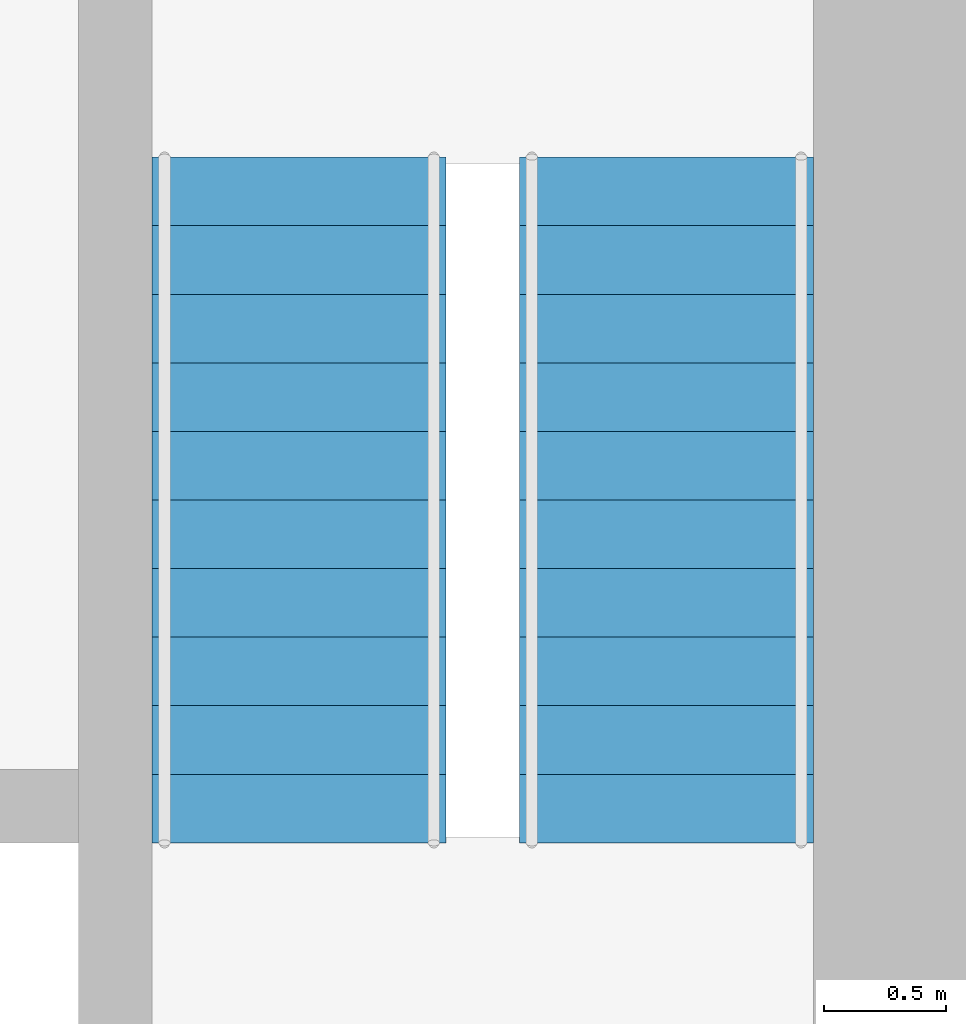
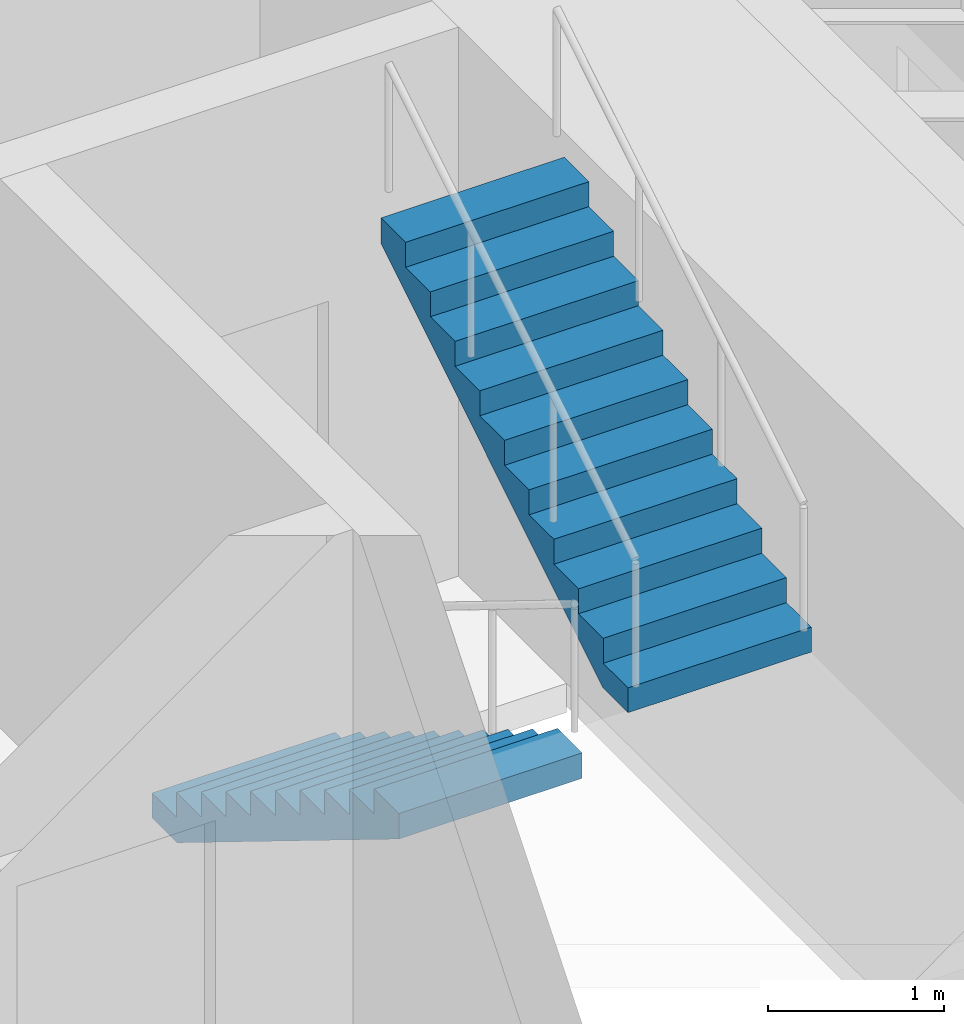
# One storey, part 16 of 17: 2 stair flights, 1 element without a shape of its own.
"""IFC4 building model written with IfcOpenShell, lengths in metres."""

from ifc_helpers import new_model, si_unit, direction, frame, origin, place, context, subcontext, project, spatial, polyline, outline, extrude, material, type_object, element, aggregate, save


model = new_model("IFC4")

# Units and contexts
model_context = context("Model", 3, precision=1e-05, world=origin(), true_north=direction((0.0, 1.0)))
body_context = subcontext(model_context, "Body", "Model", "MODEL_VIEW")
ifc_project = project(units=[si_unit("LENGTHUNIT", "METRE"), si_unit("AREAUNIT", "SQUARE_METRE"), si_unit("VOLUMEUNIT", "CUBIC_METRE"), si_unit("PLANEANGLEUNIT", "RADIAN"), si_unit("MASSUNIT", "GRAM", prefix="KILO")], contexts=[model_context])

# Site, building, storey
site_placement = place(None, origin())
site = spatial("IfcSite", under=ifc_project, at=site_placement, CompositionType="ELEMENT")
building_placement = place(site_placement, origin())
building = spatial("IfcBuilding", under=site, at=building_placement, Name="Sandreach Pilgrim Tower", CompositionType="ELEMENT")
storey_placement = place(building_placement, frame((0.0, 0.0, 80.0)))
storey = spatial("IfcBuildingStorey", under=building, at=storey_placement, Name="L19", CompositionType="ELEMENT", Elevation=80.0)

# Stair, stair flights
ifc_material_1 = material(Name="Concrete 8000 psi", Category="concrete")
stair_type = type_object("IfcStairType", Name="Core exit stair", PredefinedType="HALF_TURN_STAIR", material=ifc_material_1)
stair_placement = place(storey_placement, origin())
stair = element("IfcStair", 1, at=stair_placement, inside=storey, type_object=stair_type, Name="Exit stair ST2 L19", PredefinedType="HALF_TURN_STAIR")
ifc_material_2 = material(Name="Concrete 8000 psi", Category="concrete")
stair_flight_type = type_object("IfcStairFlightType", Name="Core stair flight 1200", PredefinedType="STRAIGHT", material=ifc_material_2)
stair_flight_1_placement = place(storey_placement, frame((5.64990234375, -0.39990234375, 0.0), z_axis=(0.0, 0.0, 1.0), x_axis=(0.0, -1.0, 0.0)))
stair_flight_1 = element("IfcStairFlight", 2, at=stair_flight_1_placement, type_object=stair_flight_type, Name="ST2 flight 1", NumberOfRisers=11, NumberOfTreads=10, PredefinedType="STRAIGHT", RiserHeight=0.172727273, TreadLength=0.28, context=body_context, shape_type="SweptSolid", body=[
    extrude(outline(polyline([(0.0, 0.0), (0.0, 0.172607421875), (0.280029296875, 0.172607421875), (0.280029296875, 0.345458984375), (0.56005859375, 0.345458984375), (0.56005859375, 0.51806640625), (0.840087890625, 0.51806640625), (0.840087890625, 0.69091796875), (1.1201171875, 0.69091796875), (1.1201171875, 0.863525390625), (1.39990234375, 0.863525390625), (1.39990234375, 1.036376953125), (1.679931640625, 1.036376953125), (1.679931640625, 1.208984375), (1.9599609375, 1.208984375), (1.9599609375, 1.3818359375), (2.239990234375, 1.3818359375), (2.239990234375, 1.554443359375), (2.52001953125, 1.554443359375), (2.52001953125, 1.727294921875), (2.800048828125, 1.727294921875), (2.800048828125, 1.89990234375), (2.800048828125, 1.551025390625), (0.285400390625, 0.0), (0.0, 0.0)])), frame((0.0, 0.60009765625, 0.0), z_axis=(0.0, -1.0, 0.0), x_axis=(1.0, 0.0, 0.0)), (0.0, 0.0, 1.0), 1.199951171875),
])
stair_flight_2_placement = place(storey_placement, frame((7.14990234375, -3.199951171875, 1.89990234375), z_axis=(0.0, 0.0, 1.0), x_axis=(0.0, 1.0, 0.0)))
stair_flight_2 = element("IfcStairFlight", 3, at=stair_flight_2_placement, type_object=stair_flight_type, Name="ST2 flight 2", NumberOfRisers=11, NumberOfTreads=10, PredefinedType="STRAIGHT", RiserHeight=0.172727273, TreadLength=0.28, context=body_context, shape_type="SweptSolid", body=[
    extrude(outline(polyline([(0.0, 0.0), (0.0, 0.172607421875), (0.280029296875, 0.172607421875), (0.280029296875, 0.345458984375), (0.56005859375, 0.345458984375), (0.56005859375, 0.51806640625), (0.840087890625, 0.51806640625), (0.840087890625, 0.69091796875), (1.1201171875, 0.69091796875), (1.1201171875, 0.863525390625), (1.39990234375, 0.863525390625), (1.39990234375, 1.036376953125), (1.679931640625, 1.036376953125), (1.679931640625, 1.208984375), (1.9599609375, 1.208984375), (1.9599609375, 1.3818359375), (2.239990234375, 1.3818359375), (2.239990234375, 1.554443359375), (2.52001953125, 1.554443359375), (2.52001953125, 1.727294921875), (2.800048828125, 1.727294921875), (2.800048828125, 1.89990234375), (2.800048828125, 1.551025390625), (0.285400390625, 0.0), (0.0, 0.0)])), frame((0.0, 0.60009765625, 0.0), z_axis=(0.0, -1.0, 0.0), x_axis=(1.0, 0.0, 0.0)), (0.0, 0.0, 1.0), 1.199951171875),
])
aggregate(stair, [stair_flight_1, stair_flight_2])

save(model, "model.ifc")
